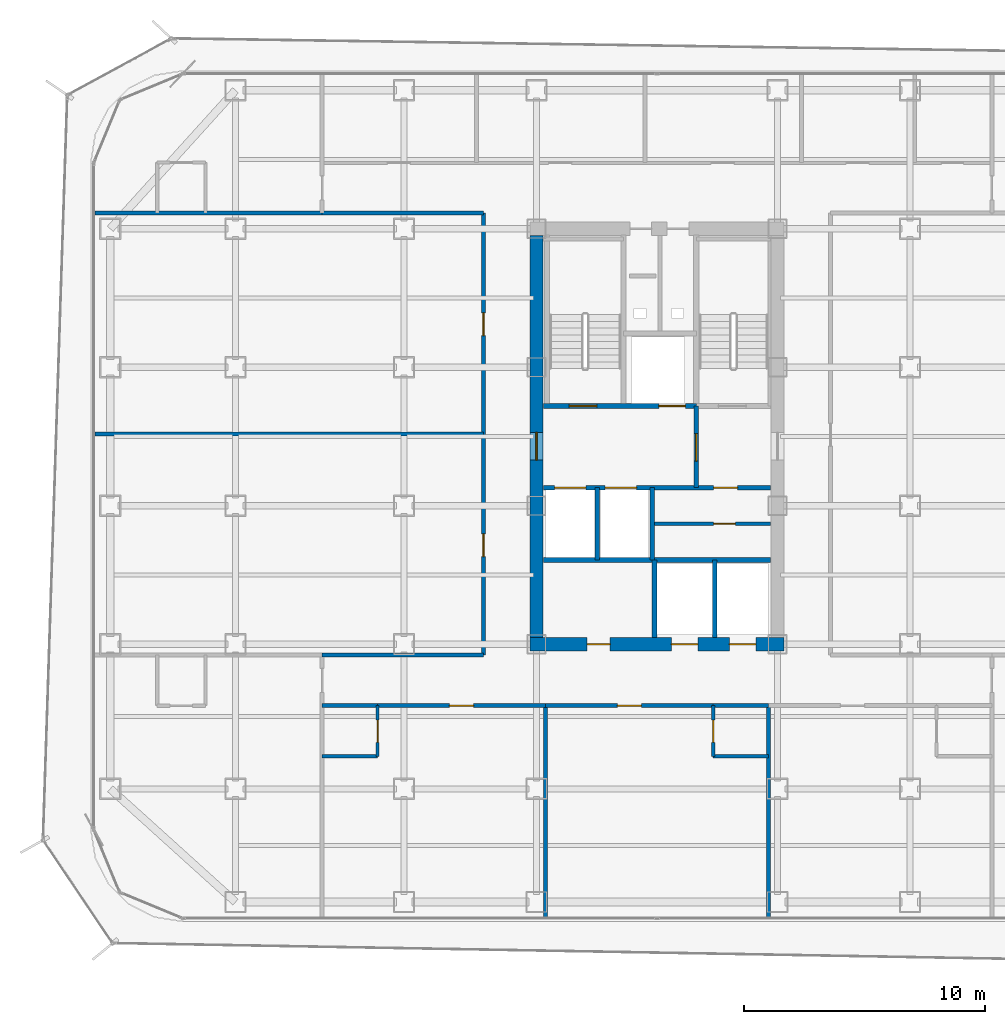
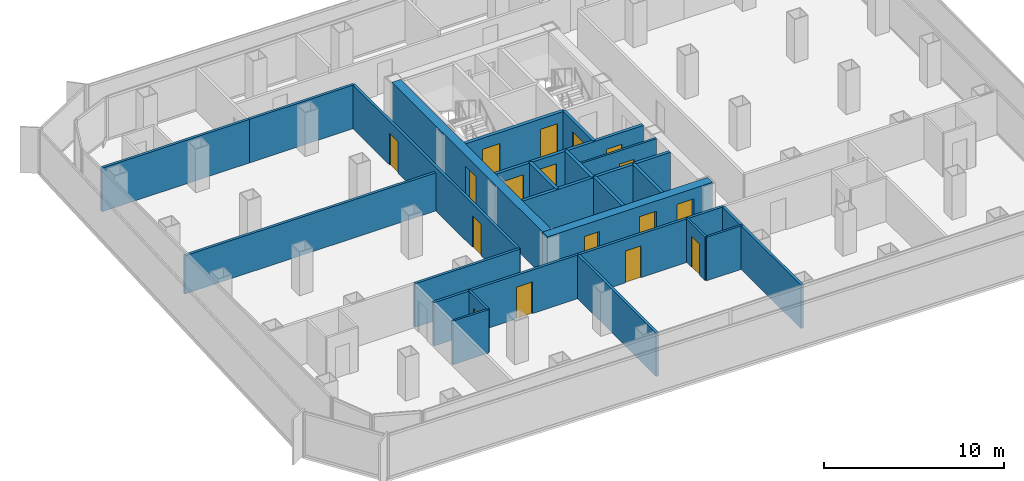
# One storey, part 16 of 21: 26 walls, 17 doors, 17 openings.
"""IFC4 building model written with IfcOpenShell, lengths in metres."""

from ifc_helpers import new_model, si_unit, direction, frame, frame_2d, origin, place, context, subcontext, project, spatial, rectangle, extrude, material, layer, layer_set, type_object, element, fill, save


model = new_model("IFC4")

# Units and contexts
model_context = context("Model", 3, precision=1e-05, world=origin(), true_north=direction((0.0, 1.0)))
body_context = subcontext(model_context, "Body", "Model", "MODEL_VIEW")
ifc_project = project(units=[si_unit("LENGTHUNIT", "METRE"), si_unit("AREAUNIT", "SQUARE_METRE"), si_unit("VOLUMEUNIT", "CUBIC_METRE"), si_unit("PLANEANGLEUNIT", "RADIAN"), si_unit("MASSUNIT", "GRAM", prefix="KILO")], contexts=[model_context])

# Site, building, storey
site_placement = place(None, origin())
site = spatial("IfcSite", under=ifc_project, at=site_placement, CompositionType="ELEMENT")
building_placement = place(site_placement, origin())
building = spatial("IfcBuilding", under=site, at=building_placement, Name="Kolveth Station Tower", CompositionType="ELEMENT")
storey_placement = place(building_placement, frame((0.0, 0.0, 127.89990234375)))
storey = spatial("IfcBuildingStorey", under=building, at=storey_placement, Name="L35", CompositionType="ELEMENT", Elevation=127.89990234375)

# Wall, openings, doors
ifc_material_1 = material(Name="Concrete C60/75", Category="concrete")
ifc_layer_1 = layer(ifc_material_1, 0.550048828125)
ifc_layer_set_1 = layer_set([ifc_layer_1], Name="Concrete C60/75")
wall_type_1 = type_object("IfcWallType", Name="Wall_CW-550", PredefinedType="SHEAR", material=ifc_layer_set_1)
wall_1_placement = place(storey_placement, frame((18.22509765625, 11.5, 0.0), z_axis=(0.0, 0.0, 1.0), x_axis=(1.0, 0.0, 0.0)))
wall_1 = element("IfcWall", 1, at=wall_1_placement, inside=storey, type_object=wall_type_1, Name="L35 Core RC Shear Wall S", PredefinedType="SHEAR", context=body_context, shape_type="SweptSolid", body=[
    extrude(rectangle(XDim=10.5498046875, YDim=0.550048828125, at=frame_2d((5.27490234375, 0.0))), origin(), (0.0, 0.0, 1.0), 2.9501953125),
])
opening_1_placement = place(wall_1_placement, frame((2.375, 0.0, 0.0)))
opening_1 = element("IfcOpeningElement", 2, at=opening_1_placement, cuts=wall_1, Name="Opening ID1", PredefinedType="OPENING", context=body_context, shape_type="SweptSolid", body=[
    extrude(rectangle(XDim=0.949951171875, YDim=2.14990234375, at=frame_2d((0.47509765625, 1.074951171875))), frame((0.0, 0.284912109375, 0.0), z_axis=(0.0, -1.0, 0.0), x_axis=(1.0, 0.0, 0.0)), (0.0, 0.0, 1.0), 0.570068359375),
])
opening_2_placement = place(wall_1_placement, frame((5.875, 0.0, 0.0)))
opening_2 = element("IfcOpeningElement", 3, at=opening_2_placement, cuts=wall_1, Name="Opening LD1", PredefinedType="OPENING", context=body_context, shape_type="SweptSolid", body=[
    extrude(rectangle(XDim=1.10009765625, YDim=2.25, at=frame_2d((0.550048828125, 1.125))), frame((0.0, 0.284912109375, 0.0), z_axis=(0.0, -1.0, 0.0), x_axis=(1.0, 0.0, 0.0)), (0.0, 0.0, 1.0), 0.570068359375),
])
opening_3_placement = place(wall_1_placement, frame((8.27490234375, 0.0, 0.0)))
opening_3 = element("IfcOpeningElement", 4, at=opening_3_placement, cuts=wall_1, Name="Opening LD1", PredefinedType="OPENING", context=body_context, shape_type="SweptSolid", body=[
    extrude(rectangle(XDim=1.10009765625, YDim=2.25, at=frame_2d((0.550048828125, 1.125))), frame((0.0, 0.284912109375, 0.0), z_axis=(0.0, -1.0, 0.0), x_axis=(1.0, 0.0, 0.0)), (0.0, 0.0, 1.0), 0.570068359375),
])
ifc_material_2 = material(Name="Acoustic hardwood leaf and aluminium frame", Category="wood")
door_type_1 = type_object("IfcDoorType", Name="Door_ID1", OperationType="NOTDEFINED", PredefinedType="DOOR", material=ifc_material_2)
door_1_placement = place(opening_1_placement, frame((0.949951171875, 0.0, 0.0), z_axis=(0.0, 0.0, 1.0), x_axis=(-1.0, 0.0, 0.0)))
door_1 = element("IfcDoor", 5, at=door_1_placement, inside=storey, type_object=door_type_1, Name="L35 Hotel Pantry Door", OperationType="SINGLE_SWING_RIGHT", OverallHeight=2.14990234375, OverallWidth=0.949951171875, PredefinedType="DOOR", context=body_context, shape_type="SweptSolid", body=[
    extrude(rectangle(XDim=0.949951171875, YDim=2.14990234375, at=frame_2d((0.47509765625, 1.074951171875))), frame((0.0, 0.02490234375, 0.0), z_axis=(0.0, -1.0, 0.0), x_axis=(1.0, 0.0, 0.0)), (0.0, 0.0, 1.0), 0.050048828125),
])
fill(opening_1, door_1)
ifc_material_3 = material(Name="Brushed stainless steel sliding landing doors", Category="steel")
door_type_2 = type_object("IfcDoorType", Name="Door_LD1", OperationType="NOTDEFINED", PredefinedType="DOOR", material=ifc_material_3)
door_2_placement = place(opening_2_placement, frame((1.10009765625, 0.0, 0.0), z_axis=(0.0, 0.0, 1.0), x_axis=(-1.0, 0.0, 0.0)))
door_2 = element("IfcDoor", 6, at=door_2_placement, inside=storey, type_object=door_type_2, Name="L35 Lift PM1 Landing Door", OperationType="DOUBLE_DOOR_SLIDING", OverallHeight=2.25, OverallWidth=1.10009765625, PredefinedType="DOOR", context=body_context, shape_type="SweptSolid", body=[
    extrude(rectangle(XDim=1.10009765625, YDim=2.25, at=frame_2d((0.550048828125, 1.125))), frame((0.0, 0.02490234375, 0.0), z_axis=(0.0, -1.0, 0.0), x_axis=(1.0, 0.0, 0.0)), (0.0, 0.0, 1.0), 0.050048828125),
])
fill(opening_2, door_2)
door_3_placement = place(opening_3_placement, frame((1.10009765625, 0.0, 0.0), z_axis=(0.0, 0.0, 1.0), x_axis=(-1.0, 0.0, 0.0)))
door_3 = element("IfcDoor", 7, at=door_3_placement, inside=storey, type_object=door_type_2, Name="L35 Lift PH1 Landing Door", OperationType="DOUBLE_DOOR_SLIDING", OverallHeight=2.25, OverallWidth=1.10009765625, PredefinedType="DOOR", context=body_context, shape_type="SweptSolid", body=[
    extrude(rectangle(XDim=1.10009765625, YDim=2.25, at=frame_2d((0.550048828125, 1.125))), frame((0.0, 0.02490234375, 0.0), z_axis=(0.0, -1.0, 0.0), x_axis=(1.0, 0.0, 0.0)), (0.0, 0.0, 1.0), 0.050048828125),
])
fill(opening_3, door_3)

# Wall, opening, door
wall_2_placement = place(storey_placement, frame((18.5, 11.77490234375, 0.0), z_axis=(0.0, 0.0, 1.0), x_axis=(0.0, 1.0, 0.0)))
wall_2 = element("IfcWall", 8, at=wall_2_placement, inside=storey, type_object=wall_type_1, Name="L35 Core RC Shear Wall W", PredefinedType="SHEAR", context=body_context, shape_type="SweptSolid", body=[
    extrude(rectangle(XDim=16.7001953125, YDim=0.550048828125, at=frame_2d((8.35009765625, 0.0))), origin(), (0.0, 0.0, 1.0), 2.9501953125),
])
opening_4_placement = place(wall_2_placement, frame((7.375, 0.0, 0.0)))
opening_4 = element("IfcOpeningElement", 9, at=opening_4_placement, cuts=wall_2, Name="Opening FD1", PredefinedType="OPENING", context=body_context, shape_type="SweptSolid", body=[
    extrude(rectangle(XDim=1.14990234375, YDim=2.199951171875, at=frame_2d((0.574951171875, 1.10009765625))), frame((0.0, 0.284912109375, 0.0), z_axis=(0.0, -1.0, 0.0), x_axis=(1.0, 0.0, 0.0)), (0.0, 0.0, 1.0), 0.570068359375),
])
ifc_material_4 = material(Name="Fire-rated Steel S355 leaf and frame", Category="steel")
door_type_3 = type_object("IfcDoorType", Name="Door_FD1", OperationType="NOTDEFINED", PredefinedType="DOOR", material=ifc_material_4)
door_4_placement = place(opening_4_placement, frame((1.14990234375, 0.0, 0.0), z_axis=(0.0, 0.0, 1.0), x_axis=(-1.0, 0.0, 0.0)))
door_4 = element("IfcDoor", 10, at=door_4_placement, inside=storey, type_object=door_type_3, Name="L35 West Corridor to Firefighting Lobby Door", OperationType="SINGLE_SWING_RIGHT", OverallHeight=2.199951171875, OverallWidth=1.14990234375, PredefinedType="DOOR", context=body_context, shape_type="SweptSolid", body=[
    extrude(rectangle(XDim=1.14990234375, YDim=2.199951171875, at=frame_2d((0.574951171875, 1.10009765625))), frame((0.0, 0.02490234375, 0.0), z_axis=(0.0, -1.0, 0.0), x_axis=(1.0, 0.0, 0.0)), (0.0, 0.0, 1.0), 0.050048828125),
])
fill(opening_4, door_4)

ifc_material_5 = material(Name="Moisture-resistant gypsum partition")
ifc_layer_2 = layer(ifc_material_5, 0.135009765625)
ifc_layer_set_2 = layer_set([ifc_layer_2], Name="Moisture-resistant gypsum partition")
wall_type_2 = type_object("IfcWallType", Name="Wall_IW-135", PredefinedType="PARTITIONING", material=ifc_layer_set_2)
wall_3_placement = place(storey_placement, frame((23.300048828125, 16.5, 0.0), z_axis=(0.0, 0.0, 1.0), x_axis=(1.0, 0.0, 0.0)))
wall_3 = element("IfcWall", 11, at=wall_3_placement, inside=storey, type_object=wall_type_2, Name="L35 Partition Wall WL-L35-CB-H1", PredefinedType="PARTITIONING", context=body_context, shape_type="SweptSolid", body=[
    extrude(rectangle(XDim=4.9150390625, YDim=0.135009765625, at=frame_2d((2.45751953125, 0.0))), origin(), (0.0, 0.0, 1.0), 2.9501953125),
])
opening_5_placement = place(wall_3_placement, frame((2.550048828125, 0.0, 0.0)))
opening_5 = element("IfcOpeningElement", 12, at=opening_5_placement, cuts=wall_3, Name="Opening RD1", PredefinedType="OPENING", context=body_context, shape_type="SweptSolid", body=[
    extrude(rectangle(XDim=0.89990234375, YDim=2.050048828125, at=frame_2d((0.449951171875, 1.02490234375))), frame((0.0, 0.077392578125, 0.0), z_axis=(0.0, -1.0, 0.0), x_axis=(1.0, 0.0, 0.0)), (0.0, 0.0, 1.0), 0.155029296875),
])
ifc_material_6 = material(Name="Fire-rated Steel S355 riser access leaf", Category="steel")
door_type_4 = type_object("IfcDoorType", Name="Door_RD1", OperationType="NOTDEFINED", PredefinedType="DOOR", material=ifc_material_6)
door_5_placement = place(opening_5_placement, frame((0.89990234375, 0.0, 0.0), z_axis=(0.0, 0.0, 1.0), x_axis=(-1.0, 0.0, 0.0)))
door_5 = element("IfcDoor", 13, at=door_5_placement, inside=storey, type_object=door_type_4, Name="L35 Core Equipment Store Door", OperationType="SINGLE_SWING_LEFT", OverallHeight=2.050048828125, OverallWidth=0.89990234375, PredefinedType="DOOR", context=body_context, shape_type="SweptSolid", body=[
    extrude(rectangle(XDim=0.89990234375, YDim=2.050048828125, at=frame_2d((0.449951171875, 1.02490234375))), frame((0.0, 0.02490234375, 0.0), z_axis=(0.0, -1.0, 0.0), x_axis=(1.0, 0.0, 0.0)), (0.0, 0.0, 1.0), 0.050048828125),
])
fill(opening_5, door_5)

wall_4_placement = place(storey_placement, frame((11.89990234375, 6.85009765625, 0.0), z_axis=(0.0, 0.0, 1.0), x_axis=(0.0, 1.0, 0.0)))
wall_4 = element("IfcWall", 14, at=wall_4_placement, inside=storey, type_object=wall_type_2, Name="L35 Partition Wall WL-L35-HS1-BV", PredefinedType="PARTITIONING", context=body_context, shape_type="SweptSolid", body=[
    extrude(rectangle(XDim=2.099853515625, YDim=0.135009765625, at=frame_2d((1.0498046875, 0.0))), origin(), (0.0, 0.0, 1.0), 2.9501953125),
])
opening_6_placement = place(wall_4_placement, frame((0.580078125, 0.0, 0.0)))
opening_6 = element("IfcOpeningElement", 15, at=opening_6_placement, cuts=wall_4, Name="Opening ID2", PredefinedType="OPENING", context=body_context, shape_type="SweptSolid", body=[
    extrude(rectangle(XDim=0.919921875, YDim=2.10009765625, at=frame_2d((0.4599609375, 1.050048828125))), frame((0.0, 0.077392578125, 0.0), z_axis=(0.0, -1.0, 0.0), x_axis=(1.0, 0.0, 0.0)), (0.0, 0.0, 1.0), 0.155029296875),
])
ifc_material_7 = material(Name="Moisture-resistant hardwood leaf", Category="wood")
door_type_5 = type_object("IfcDoorType", Name="Door_ID2", OperationType="NOTDEFINED", PredefinedType="DOOR", material=ifc_material_7)
door_6_placement = place(opening_6_placement, frame((0.919921875, 0.0, 0.0), z_axis=(0.0, 0.0, 1.0), x_axis=(-1.0, 0.0, 0.0)))
door_6 = element("IfcDoor", 16, at=door_6_placement, inside=storey, type_object=door_type_5, Name="L35 Hotel Corner Suite HS1 En-Suite Door", OperationType="SINGLE_SWING_LEFT", OverallHeight=2.10009765625, OverallWidth=0.919921875, PredefinedType="DOOR", context=body_context, shape_type="SweptSolid", body=[
    extrude(rectangle(XDim=0.919921875, YDim=2.10009765625, at=frame_2d((0.4599609375, 1.050048828125))), frame((0.0, 0.02490234375, 0.0), z_axis=(0.0, -1.0, 0.0), x_axis=(1.0, 0.0, 0.0)), (0.0, 0.0, 1.0), 0.050048828125),
])
fill(opening_6, door_6)

# Wall
wall_5_placement = place(storey_placement, frame((9.60009765625, 6.85009765625, 0.0), z_axis=(0.0, 0.0, 1.0), x_axis=(1.0, 0.0, 0.0)))
element("IfcWall", 17, at=wall_5_placement, inside=storey, type_object=wall_type_2, Name="L35 Partition Wall WL-L35-HS1-BH", PredefinedType="PARTITIONING", context=body_context, shape_type="SweptSolid", body=[
    extrude(rectangle(XDim=2.2998046875, YDim=0.135009765625, at=frame_2d((1.14990234375, 0.0))), origin(), (0.0, 0.0, 1.0), 2.9501953125),
])

# Wall, opening, door
wall_6_placement = place(storey_placement, frame((25.8330078125, 6.85009765625, 0.0), z_axis=(0.0, 0.0, 1.0), x_axis=(0.0, 1.0, 0.0)))
wall_6 = element("IfcWall", 18, at=wall_6_placement, inside=storey, type_object=wall_type_2, Name="L35 Partition Wall WL-L35-HS2-BV", PredefinedType="PARTITIONING", context=body_context, shape_type="SweptSolid", body=[
    extrude(rectangle(XDim=2.099853515625, YDim=0.135009765625, at=frame_2d((1.0498046875, 0.0))), origin(), (0.0, 0.0, 1.0), 2.9501953125),
])
opening_7_placement = place(wall_6_placement, frame((0.580078125, 0.0, 0.0)))
opening_7 = element("IfcOpeningElement", 19, at=opening_7_placement, cuts=wall_6, Name="Opening ID2", PredefinedType="OPENING", context=body_context, shape_type="SweptSolid", body=[
    extrude(rectangle(XDim=0.919921875, YDim=2.10009765625, at=frame_2d((0.4599609375, 1.050048828125))), frame((0.0, 0.077392578125, 0.0), z_axis=(0.0, -1.0, 0.0), x_axis=(1.0, 0.0, 0.0)), (0.0, 0.0, 1.0), 0.155029296875),
])
door_7_placement = place(opening_7_placement, origin())
door_7 = element("IfcDoor", 20, at=door_7_placement, inside=storey, type_object=door_type_5, Name="L35 Hotel Corner Suite HS2 En-Suite Door", OperationType="SINGLE_SWING_LEFT", OverallHeight=2.10009765625, OverallWidth=0.919921875, PredefinedType="DOOR", context=body_context, shape_type="SweptSolid", body=[
    extrude(rectangle(XDim=0.919921875, YDim=2.10009765625, at=frame_2d((0.4599609375, 1.050048828125))), frame((0.0, 0.02490234375, 0.0), z_axis=(0.0, -1.0, 0.0), x_axis=(1.0, 0.0, 0.0)), (0.0, 0.0, 1.0), 0.050048828125),
])
fill(opening_7, door_7)

# Walls
wall_7_placement = place(storey_placement, frame((25.8330078125, 6.85009765625, 0.0), z_axis=(0.0, 0.0, 1.0), x_axis=(1.0, 0.0, 0.0)))
element("IfcWall", 21, at=wall_7_placement, inside=storey, type_object=wall_type_2, Name="L35 Partition Wall WL-L35-HS2-BH", PredefinedType="PARTITIONING", context=body_context, shape_type="SweptSolid", body=[
    extrude(rectangle(XDim=2.300048828125, YDim=0.135009765625, at=frame_2d((1.14990234375, 0.0))), origin(), (0.0, 0.0, 1.0), 2.9501953125),
])
ifc_material_8 = material(Name="Acoustic double-stud gypsum partition")
ifc_layer_3 = layer(ifc_material_8, 0.1650390625)
ifc_layer_set_3 = layer_set([ifc_layer_3], Name="Acoustic double-stud gypsum partition")
wall_type_3 = type_object("IfcWallType", Name="Wall_IW-165", PredefinedType="PARTITIONING", material=ifc_layer_set_3)
for number, where, z_axis, x_axis, name in (
    (22, (9.60009765625, 11.050048828125, 0.0), (0.0, 0.0, 1.0), (1.0, 0.0, 0.0), "L35 Partition Wall WL-L35-HSWT"),
    (23, (9.60009765625, 29.39990234375, 0.0), (0.0, 0.0, 1.0), (1.0, 0.0, 0.0), "L35 Partition Wall WL-L35-HNWB"),
):
    element("IfcWall", number, at=place(storey_placement, frame(where, z_axis=z_axis, x_axis=x_axis)), inside=storey, type_object=wall_type_3, Name=name, PredefinedType="PARTITIONING", context=body_context, shape_type="SweptSolid", body=[
        extrude(rectangle(XDim=6.699951171875, YDim=0.1650390625, at=frame_2d((3.35009765625, 0.0))), origin(), (0.0, 0.0, 1.0), 2.9501953125),
    ])

# Wall, openings, doors
wall_8_placement = place(storey_placement, frame((16.300048828125, 11.050048828125, 0.0), z_axis=(0.0, 0.0, 1.0), x_axis=(0.0, 1.0, 0.0)))
wall_8 = element("IfcWall", 24, at=wall_8_placement, inside=storey, type_object=wall_type_3, Name="L35 Partition Wall WL-L35-HW", PredefinedType="PARTITIONING", context=body_context, shape_type="SweptSolid", body=[
    extrude(rectangle(XDim=18.349853515625, YDim=0.1650390625, at=frame_2d((9.1748046875, 0.0))), origin(), (0.0, 0.0, 1.0), 2.9501953125),
])
opening_8_placement = place(wall_8_placement, frame((4.0869140625, 0.0, 0.0)))
opening_8 = element("IfcOpeningElement", 25, at=opening_8_placement, cuts=wall_8, Name="Opening ID1", PredefinedType="OPENING", context=body_context, shape_type="SweptSolid", body=[
    extrude(rectangle(XDim=0.949951171875, YDim=2.14990234375, at=frame_2d((0.47509765625, 1.074951171875))), frame((0.0, 0.092529296875, 0.0), z_axis=(0.0, -1.0, 0.0), x_axis=(1.0, 0.0, 0.0)), (0.0, 0.0, 1.0), 0.18505859375),
])
opening_9_placement = place(wall_8_placement, frame((13.261962890625, 0.0, 0.0)))
opening_9 = element("IfcOpeningElement", 26, at=opening_9_placement, cuts=wall_8, Name="Opening ID1", PredefinedType="OPENING", context=body_context, shape_type="SweptSolid", body=[
    extrude(rectangle(XDim=0.949951171875, YDim=2.14990234375, at=frame_2d((0.47509765625, 1.074951171875))), frame((0.0, 0.092529296875, 0.0), z_axis=(0.0, -1.0, 0.0), x_axis=(1.0, 0.0, 0.0)), (0.0, 0.0, 1.0), 0.18505859375),
])
door_8_placement = place(opening_8_placement, frame((0.949951171875, 0.0, 0.0), z_axis=(0.0, 0.0, 1.0), x_axis=(-1.0, 0.0, 0.0)))
door_8 = element("IfcDoor", 27, at=door_8_placement, inside=storey, type_object=door_type_1, Name="L35 Wellness Massage Suite 1 Door", OperationType="SINGLE_SWING_RIGHT", OverallHeight=2.14990234375, OverallWidth=0.949951171875, PredefinedType="DOOR", context=body_context, shape_type="SweptSolid", body=[
    extrude(rectangle(XDim=0.949951171875, YDim=2.14990234375, at=frame_2d((0.47509765625, 1.074951171875))), frame((0.0, 0.02490234375, 0.0), z_axis=(0.0, -1.0, 0.0), x_axis=(1.0, 0.0, 0.0)), (0.0, 0.0, 1.0), 0.050048828125),
])
fill(opening_8, door_8)
door_9_placement = place(opening_9_placement, frame((0.949951171875, 0.0, 0.0), z_axis=(0.0, 0.0, 1.0), x_axis=(-1.0, 0.0, 0.0)))
door_9 = element("IfcDoor", 28, at=door_9_placement, inside=storey, type_object=door_type_1, Name="L35 Wellness Massage Suite 2 Door", OperationType="SINGLE_SWING_LEFT", OverallHeight=2.14990234375, OverallWidth=0.949951171875, PredefinedType="DOOR", context=body_context, shape_type="SweptSolid", body=[
    extrude(rectangle(XDim=0.949951171875, YDim=2.14990234375, at=frame_2d((0.47509765625, 1.074951171875))), frame((0.0, 0.02490234375, 0.0), z_axis=(0.0, -1.0, 0.0), x_axis=(1.0, 0.0, 0.0)), (0.0, 0.0, 1.0), 0.050048828125),
])
fill(opening_9, door_9)

# Walls
wall_9_placement = place(storey_placement, frame((0.159912109375, 29.39990234375, 0.0), z_axis=(0.0, 0.0, 1.0), x_axis=(1.0, 0.0, 0.0)))
element("IfcWall", 29, at=wall_9_placement, inside=storey, type_object=wall_type_3, Name="L35 Partition Wall WL-L35-WM2", PredefinedType="PARTITIONING", context=body_context, shape_type="SweptSolid", body=[
    extrude(rectangle(XDim=9.440185546875, YDim=0.1650390625, at=frame_2d((4.72021484375, 0.0))), origin(), (0.0, 0.0, 1.0), 2.9501953125),
])
wall_10_placement = place(storey_placement, frame((9.60009765625, 8.949951171875, 0.0), z_axis=(0.0, 0.0, 1.0), x_axis=(1.0, 0.0, 0.0)))
element("IfcWall", 30, at=wall_10_placement, inside=storey, type_object=wall_type_3, Name="L35 Partition Wall WL-L35-HS1-BCOR", PredefinedType="PARTITIONING", context=body_context, shape_type="SweptSolid", body=[
    extrude(rectangle(XDim=2.2998046875, YDim=0.1650390625, at=frame_2d((1.14990234375, 0.0))), origin(), (0.0, 0.0, 1.0), 2.9501953125),
])

# Wall, opening, door
wall_11_placement = place(storey_placement, frame((11.89990234375, 8.949951171875, 0.0), z_axis=(0.0, 0.0, 1.0), x_axis=(1.0, 0.0, 0.0)))
wall_11 = element("IfcWall", 31, at=wall_11_placement, inside=storey, type_object=wall_type_3, Name="L35 Partition Wall WL-L35-HS1-RCOR", PredefinedType="PARTITIONING", context=body_context, shape_type="SweptSolid", body=[
    extrude(rectangle(XDim=6.967041015625, YDim=0.1650390625, at=frame_2d((3.4833984375, 0.0))), origin(), (0.0, 0.0, 1.0), 2.9501953125),
])
opening_10_placement = place(wall_11_placement, frame((2.98291015625, 0.0, 0.0)))
opening_10 = element("IfcOpeningElement", 32, at=opening_10_placement, cuts=wall_11, Name="Opening FD3", PredefinedType="OPENING", context=body_context, shape_type="SweptSolid", body=[
    extrude(rectangle(XDim=1.0, YDim=2.14990234375, at=frame_2d((0.5, 1.074951171875))), frame((0.0, 0.092529296875, 0.0), z_axis=(0.0, -1.0, 0.0), x_axis=(1.0, 0.0, 0.0)), (0.0, 0.0, 1.0), 0.18505859375),
])
ifc_material_9 = material(Name="Fire-rated hardwood leaf and aluminium frame", Category="wood")
door_type_6 = type_object("IfcDoorType", Name="Door_FD3", OperationType="NOTDEFINED", PredefinedType="DOOR", material=ifc_material_9)
door_10_placement = place(opening_10_placement, frame((1.0, 0.0, 0.0), z_axis=(0.0, 0.0, 1.0), x_axis=(-1.0, 0.0, 0.0)))
door_10 = element("IfcDoor", 33, at=door_10_placement, inside=storey, type_object=door_type_6, Name="L35 Hotel Corner Suite HS1 Entrance Door", OperationType="SINGLE_SWING_RIGHT", OverallHeight=2.14990234375, OverallWidth=1.0, PredefinedType="DOOR", context=body_context, shape_type="SweptSolid", body=[
    extrude(rectangle(XDim=1.0, YDim=2.14990234375, at=frame_2d((0.5, 1.074951171875))), frame((0.0, 0.02490234375, 0.0), z_axis=(0.0, -1.0, 0.0), x_axis=(1.0, 0.0, 0.0)), (0.0, 0.0, 1.0), 0.050048828125),
])
fill(opening_10, door_10)

# Walls
wall_12_placement = place(storey_placement, frame((18.866943359375, 0.159912109375, 0.0), z_axis=(0.0, 0.0, 1.0), x_axis=(0.0, 1.0, 0.0)))
element("IfcWall", 34, at=wall_12_placement, inside=storey, type_object=wall_type_3, Name="L35 Partition Wall WL-L35-HSK-1", PredefinedType="PARTITIONING", context=body_context, shape_type="SweptSolid", body=[
    extrude(rectangle(XDim=8.7900390625, YDim=0.1650390625, at=frame_2d((4.39501953125, 0.0))), origin(), (0.0, 0.0, 1.0), 2.9501953125),
])
wall_13_placement = place(storey_placement, frame((25.8330078125, 8.949951171875, 0.0), z_axis=(0.0, 0.0, 1.0), x_axis=(1.0, 0.0, 0.0)))
element("IfcWall", 35, at=wall_13_placement, inside=storey, type_object=wall_type_3, Name="L35 Partition Wall WL-L35-HS2-BCOR", PredefinedType="PARTITIONING", context=body_context, shape_type="SweptSolid", body=[
    extrude(rectangle(XDim=2.300048828125, YDim=0.1650390625, at=frame_2d((1.14990234375, 0.0))), origin(), (0.0, 0.0, 1.0), 2.9501953125),
])

# Wall, opening, door
wall_14_placement = place(storey_placement, frame((18.866943359375, 8.949951171875, 0.0), z_axis=(0.0, 0.0, 1.0), x_axis=(1.0, 0.0, 0.0)))
wall_14 = element("IfcWall", 36, at=wall_14_placement, inside=storey, type_object=wall_type_3, Name="L35 Partition Wall WL-L35-HS2-RCOR", PredefinedType="PARTITIONING", context=body_context, shape_type="SweptSolid", body=[
    extrude(rectangle(XDim=6.966064453125, YDim=0.1650390625, at=frame_2d((3.48291015625, 0.0))), origin(), (0.0, 0.0, 1.0), 2.9501953125),
])
opening_11_placement = place(wall_14_placement, frame((2.98291015625, 0.0, 0.0)))
opening_11 = element("IfcOpeningElement", 37, at=opening_11_placement, cuts=wall_14, Name="Opening FD3", PredefinedType="OPENING", context=body_context, shape_type="SweptSolid", body=[
    extrude(rectangle(XDim=1.0, YDim=2.14990234375, at=frame_2d((0.5, 1.074951171875))), frame((0.0, 0.092529296875, 0.0), z_axis=(0.0, -1.0, 0.0), x_axis=(1.0, 0.0, 0.0)), (0.0, 0.0, 1.0), 0.18505859375),
])
door_11_placement = place(opening_11_placement, frame((1.0, 0.0, 0.0), z_axis=(0.0, 0.0, 1.0), x_axis=(-1.0, 0.0, 0.0)))
door_11 = element("IfcDoor", 38, at=door_11_placement, inside=storey, type_object=door_type_6, Name="L35 Hotel Corner Suite HS2 Entrance Door", OperationType="SINGLE_SWING_RIGHT", OverallHeight=2.14990234375, OverallWidth=1.0, PredefinedType="DOOR", context=body_context, shape_type="SweptSolid", body=[
    extrude(rectangle(XDim=1.0, YDim=2.14990234375, at=frame_2d((0.5, 1.074951171875))), frame((0.0, 0.02490234375, 0.0), z_axis=(0.0, -1.0, 0.0), x_axis=(1.0, 0.0, 0.0)), (0.0, 0.0, 1.0), 0.050048828125),
])
fill(opening_11, door_11)

# Walls
wall_15_placement = place(storey_placement, frame((28.133056640625, 0.159912109375, 0.0), z_axis=(0.0, 0.0, 1.0), x_axis=(0.0, 1.0, 0.0)))
element("IfcWall", 39, at=wall_15_placement, inside=storey, type_object=wall_type_3, Name="L35 Partition Wall WL-L35-HSK-2", PredefinedType="PARTITIONING", context=body_context, shape_type="SweptSolid", body=[
    extrude(rectangle(XDim=8.7900390625, YDim=0.1650390625, at=frame_2d((4.39501953125, 0.0))), origin(), (0.0, 0.0, 1.0), 2.9501953125),
])
wall_16_placement = place(storey_placement, frame((0.159912109375, 20.22509765625, 0.0), z_axis=(0.0, 0.0, 1.0), x_axis=(1.0, 0.0, 0.0)))
element("IfcWall", 40, at=wall_16_placement, inside=storey, type_object=wall_type_3, Name="L35 Partition Wall WL-L35-HMW-P1", PredefinedType="PARTITIONING", context=body_context, shape_type="SweptSolid", body=[
    extrude(rectangle(XDim=16.14013671875, YDim=0.1650390625, at=frame_2d((8.070068359375, 0.0))), origin(), (0.0, 0.0, 1.0), 2.5830078125),
])

# Wall, opening, door
ifc_material_10 = material(Name="Acoustic fire-rated gypsum blockwork", Category="masonry")
ifc_layer_4 = layer(ifc_material_10, 0.199951171875)
ifc_layer_set_4 = layer_set([ifc_layer_4], Name="Acoustic fire-rated gypsum blockwork")
wall_type_4 = type_object("IfcWallType", Name="Wall_IW-200", PredefinedType="PARTITIONING", material=ifc_layer_set_4)
wall_17_placement = place(storey_placement, frame((25.1298828125, 18.0, 0.0), z_axis=(0.0, 0.0, 1.0), x_axis=(0.0, 1.0, 0.0)))
wall_17 = element("IfcWall", 41, at=wall_17_placement, inside=storey, type_object=wall_type_4, Name="L35 Partition Wall WL-L35-FFL-E", PredefinedType="PARTITIONING", context=body_context, shape_type="SweptSolid", body=[
    extrude(rectangle(XDim=3.389892578125, YDim=0.199951171875, at=frame_2d((1.69482421875, 0.0))), origin(), (0.0, 0.0, 1.0), 2.9501953125),
])
opening_12_placement = place(wall_17_placement, frame((1.10009765625, 0.0, 0.0)))
opening_12 = element("IfcOpeningElement", 42, at=opening_12_placement, cuts=wall_17, Name="Opening FD1", PredefinedType="OPENING", context=body_context, shape_type="SweptSolid", body=[
    extrude(rectangle(XDim=1.14990234375, YDim=2.199951171875, at=frame_2d((0.574951171875, 1.10009765625))), frame((0.0, 0.10986328125, 0.0), z_axis=(0.0, -1.0, 0.0), x_axis=(1.0, 0.0, 0.0)), (0.0, 0.0, 1.0), 0.219970703125),
])
door_12_placement = place(opening_12_placement, origin())
door_12 = element("IfcDoor", 43, at=door_12_placement, inside=storey, type_object=door_type_3, Name="L35 Firefighting to Stair Lobby Door", OperationType="SINGLE_SWING_LEFT", OverallHeight=2.199951171875, OverallWidth=1.14990234375, PredefinedType="DOOR", context=body_context, shape_type="SweptSolid", body=[
    extrude(rectangle(XDim=1.14990234375, YDim=2.199951171875, at=frame_2d((0.574951171875, 1.10009765625))), frame((0.0, 0.02490234375, 0.0), z_axis=(0.0, -1.0, 0.0), x_axis=(1.0, 0.0, 0.0)), (0.0, 0.0, 1.0), 0.050048828125),
])
fill(opening_12, door_12)

# Wall, openings, doors
wall_18_placement = place(storey_placement, frame((18.784912109375, 18.0, 0.0), z_axis=(0.0, 0.0, 1.0), x_axis=(1.0, 0.0, 0.0)))
wall_18 = element("IfcWall", 44, at=wall_18_placement, inside=storey, type_object=wall_type_4, Name="L35 Partition Wall WL-L35-FFL-S", PredefinedType="PARTITIONING", context=body_context, shape_type="SweptSolid", body=[
    extrude(rectangle(XDim=9.43017578125, YDim=0.199951171875, at=frame_2d((4.715087890625, 0.0))), origin(), (0.0, 0.0, 1.0), 2.9501953125),
])
opening_13_placement = place(wall_18_placement, frame((0.465087890625, 0.0, 0.0)))
opening_13 = element("IfcOpeningElement", 45, at=opening_13_placement, cuts=wall_18, Name="Opening LD2", PredefinedType="OPENING", context=body_context, shape_type="SweptSolid", body=[
    extrude(rectangle(XDim=1.300048828125, YDim=2.300048828125, at=frame_2d((0.64990234375, 1.14990234375))), frame((0.0, 0.10986328125, 0.0), z_axis=(0.0, -1.0, 0.0), x_axis=(1.0, 0.0, 0.0)), (0.0, 0.0, 1.0), 0.219970703125),
])
opening_14_placement = place(wall_18_placement, frame((2.56494140625, 0.0, 0.0)))
opening_14 = element("IfcOpeningElement", 46, at=opening_14_placement, cuts=wall_18, Name="Opening LD2", PredefinedType="OPENING", context=body_context, shape_type="SweptSolid", body=[
    extrude(rectangle(XDim=1.300048828125, YDim=2.300048828125, at=frame_2d((0.64990234375, 1.14990234375))), frame((0.0, 0.10986328125, 0.0), z_axis=(0.0, -1.0, 0.0), x_axis=(1.0, 0.0, 0.0)), (0.0, 0.0, 1.0), 0.219970703125),
])
opening_15_placement = place(wall_18_placement, frame((7.06494140625, 0.0, 0.0)))
opening_15 = element("IfcOpeningElement", 47, at=opening_15_placement, cuts=wall_18, Name="Opening FD3", PredefinedType="OPENING", context=body_context, shape_type="SweptSolid", body=[
    extrude(rectangle(XDim=1.0, YDim=2.14990234375, at=frame_2d((0.5, 1.074951171875))), frame((0.0, 0.10986328125, 0.0), z_axis=(0.0, -1.0, 0.0), x_axis=(1.0, 0.0, 0.0)), (0.0, 0.0, 1.0), 0.219970703125),
])
door_13_placement = place(opening_15_placement, frame((1.0, 0.0, 0.0), z_axis=(0.0, 0.0, 1.0), x_axis=(-1.0, 0.0, 0.0)))
door_13 = element("IfcDoor", 48, at=door_13_placement, inside=storey, type_object=door_type_6, Name="L35 Housekeeping and Linen Room Door", OperationType="SINGLE_SWING_RIGHT", OverallHeight=2.14990234375, OverallWidth=1.0, PredefinedType="DOOR", context=body_context, shape_type="SweptSolid", body=[
    extrude(rectangle(XDim=1.0, YDim=2.14990234375, at=frame_2d((0.5, 1.074951171875))), frame((0.0, 0.02490234375, 0.0), z_axis=(0.0, -1.0, 0.0), x_axis=(1.0, 0.0, 0.0)), (0.0, 0.0, 1.0), 0.050048828125),
])
fill(opening_15, door_13)
ifc_material_11 = material(Name="Firefighting stainless steel sliding landing doors", Category="steel")
door_type_7 = type_object("IfcDoorType", Name="Door_LD2", OperationType="NOTDEFINED", PredefinedType="DOOR", material=ifc_material_11)
door_14_placement = place(opening_13_placement, origin())
door_14 = element("IfcDoor", 49, at=door_14_placement, inside=storey, type_object=door_type_7, Name="L35 Firefighting Lift FF1 Landing Door", OperationType="DOUBLE_DOOR_SLIDING", OverallHeight=2.300048828125, OverallWidth=1.300048828125, PredefinedType="DOOR", context=body_context, shape_type="SweptSolid", body=[
    extrude(rectangle(XDim=1.300048828125, YDim=2.300048828125, at=frame_2d((0.64990234375, 1.14990234375))), frame((0.0, 0.02490234375, 0.0), z_axis=(0.0, -1.0, 0.0), x_axis=(1.0, 0.0, 0.0)), (0.0, 0.0, 1.0), 0.050048828125),
])
fill(opening_13, door_14)
door_15_placement = place(opening_14_placement, origin())
door_15 = element("IfcDoor", 50, at=door_15_placement, inside=storey, type_object=door_type_7, Name="L35 Firefighting Lift FF2 Landing Door", OperationType="DOUBLE_DOOR_SLIDING", OverallHeight=2.300048828125, OverallWidth=1.300048828125, PredefinedType="DOOR", context=body_context, shape_type="SweptSolid", body=[
    extrude(rectangle(XDim=1.300048828125, YDim=2.300048828125, at=frame_2d((0.64990234375, 1.14990234375))), frame((0.0, 0.02490234375, 0.0), z_axis=(0.0, -1.0, 0.0), x_axis=(1.0, 0.0, 0.0)), (0.0, 0.0, 1.0), 0.050048828125),
])
fill(opening_14, door_15)

# Walls
for number, where, z_axis, x_axis, name in (
    (51, (21.02001953125, 15.0, 0.0), (0.0, 0.0, 1.0), (0.0, 1.0, 0.0), "L35 Partition Wall WL-L35-FF12"),
    (52, (23.300048828125, 15.0, 0.0), (0.0, 0.0, 1.0), (0.0, 1.0, 0.0), "L35 Partition Wall WL-L35-FF2E"),
):
    element("IfcWall", number, at=place(storey_placement, frame(where, z_axis=z_axis, x_axis=x_axis)), inside=storey, type_object=wall_type_4, Name=name, PredefinedType="PARTITIONING", context=body_context, shape_type="SweptSolid", body=[
        extrude(rectangle(XDim=3.0, YDim=0.199951171875, at=frame_2d((1.5, 0.0))), origin(), (0.0, 0.0, 1.0), 2.9501953125),
    ])
wall_19_placement = place(storey_placement, frame((18.784912109375, 15.0, 0.0), z_axis=(0.0, 0.0, 1.0), x_axis=(1.0, 0.0, 0.0)))
element("IfcWall", 53, at=wall_19_placement, inside=storey, type_object=wall_type_4, Name="L35 Partition Wall WL-L35-BOH-S", PredefinedType="PARTITIONING", context=body_context, shape_type="SweptSolid", body=[
    extrude(rectangle(XDim=9.43017578125, YDim=0.199951171875, at=frame_2d((4.715087890625, 0.0))), origin(), (0.0, 0.0, 1.0), 2.9501953125),
])
for number, where, z_axis, x_axis, name in (
    (54, (23.39990234375, 11.784912109375, 0.0), (0.0, 0.0, 1.0), (0.0, 1.0, 0.0), "L35 Partition Wall WL-L35-PL2E"),
    (55, (25.89990234375, 11.784912109375, 0.0), (0.0, 0.0, 1.0), (0.0, 1.0, 0.0), "L35 Partition Wall WL-L35-PMPH"),
):
    element("IfcWall", number, at=place(storey_placement, frame(where, z_axis=z_axis, x_axis=x_axis)), inside=storey, type_object=wall_type_4, Name=name, PredefinedType="PARTITIONING", context=body_context, shape_type="SweptSolid", body=[
        extrude(rectangle(XDim=3.215087890625, YDim=0.199951171875, at=frame_2d((1.607421875, 0.0))), origin(), (0.0, 0.0, 1.0), 2.9501953125),
    ])

# Wall, openings, doors
ifc_material_12 = material(Name="Concrete C40/50", Category="concrete")
ifc_layer_5 = layer(ifc_material_12, 0.219970703125)
ifc_layer_set_5 = layer_set([ifc_layer_5], Name="Concrete C40/50")
wall_type_5 = type_object("IfcWallType", Name="Wall_IW-220", PredefinedType="SOLIDWALL", material=ifc_layer_set_5)
wall_20_placement = place(storey_placement, frame((18.784912109375, 21.389892578125, 0.0), z_axis=(0.0, 0.0, 1.0), x_axis=(1.0, 0.0, 0.0)))
wall_20 = element("IfcWall", 56, at=wall_20_placement, inside=storey, type_object=wall_type_5, Name="L35 Stair Shaft Wall WL-L35-ST1-S", PredefinedType="SOLIDWALL", context=body_context, shape_type="SweptSolid", body=[
    extrude(rectangle(XDim=6.344970703125, YDim=0.219970703125, at=frame_2d((3.17236328125, 0.0))), origin(), (0.0, 0.0, 1.0), 2.9501953125),
])
opening_16_placement = place(wall_20_placement, frame((1.06494140625, 0.0, 0.0)))
opening_16 = element("IfcOpeningElement", 57, at=opening_16_placement, cuts=wall_20, Name="Opening FD1", PredefinedType="OPENING", context=body_context, shape_type="SweptSolid", body=[
    extrude(rectangle(XDim=1.14990234375, YDim=2.199951171875, at=frame_2d((0.574951171875, 1.10009765625))), frame((0.0, 0.119873046875, 0.0), z_axis=(0.0, -1.0, 0.0), x_axis=(1.0, 0.0, 0.0)), (0.0, 0.0, 1.0), 0.239990234375),
])
opening_17_placement = place(wall_20_placement, frame((4.794921875, 0.0, 0.0)))
opening_17 = element("IfcOpeningElement", 58, at=opening_17_placement, cuts=wall_20, Name="Opening LD1", PredefinedType="OPENING", context=body_context, shape_type="SweptSolid", body=[
    extrude(rectangle(XDim=1.10009765625, YDim=2.25, at=frame_2d((0.550048828125, 1.125))), frame((0.0, 0.119873046875, 0.0), z_axis=(0.0, -1.0, 0.0), x_axis=(1.0, 0.0, 0.0)), (0.0, 0.0, 1.0), 0.239990234375),
])
door_16_placement = place(opening_16_placement, frame((1.14990234375, 0.0, 0.0), z_axis=(0.0, 0.0, 1.0), x_axis=(-1.0, 0.0, 0.0)))
door_16 = element("IfcDoor", 59, at=door_16_placement, inside=storey, type_object=door_type_3, Name="L35 Stair ST1 Fire Door", OperationType="SINGLE_SWING_LEFT", OverallHeight=2.199951171875, OverallWidth=1.14990234375, PredefinedType="DOOR", context=body_context, shape_type="SweptSolid", body=[
    extrude(rectangle(XDim=1.14990234375, YDim=2.199951171875, at=frame_2d((0.574951171875, 1.10009765625))), frame((0.0, 0.02490234375, 0.0), z_axis=(0.0, -1.0, 0.0), x_axis=(1.0, 0.0, 0.0)), (0.0, 0.0, 1.0), 0.050048828125),
])
fill(opening_16, door_16)
door_17_placement = place(opening_17_placement, frame((1.10009765625, 0.0, 0.0), z_axis=(0.0, 0.0, 1.0), x_axis=(-1.0, 0.0, 0.0)))
door_17 = element("IfcDoor", 60, at=door_17_placement, inside=storey, type_object=door_type_2, Name="L35 Service Lift SV1 Landing Door", OperationType="DOUBLE_DOOR_SLIDING", OverallHeight=2.25, OverallWidth=1.10009765625, PredefinedType="DOOR", context=body_context, shape_type="SweptSolid", body=[
    extrude(rectangle(XDim=1.10009765625, YDim=2.25, at=frame_2d((0.550048828125, 1.125))), frame((0.0, 0.02490234375, 0.0), z_axis=(0.0, -1.0, 0.0), x_axis=(1.0, 0.0, 0.0)), (0.0, 0.0, 1.0), 0.050048828125),
])
fill(opening_17, door_17)

save(model, "model.ifc")
